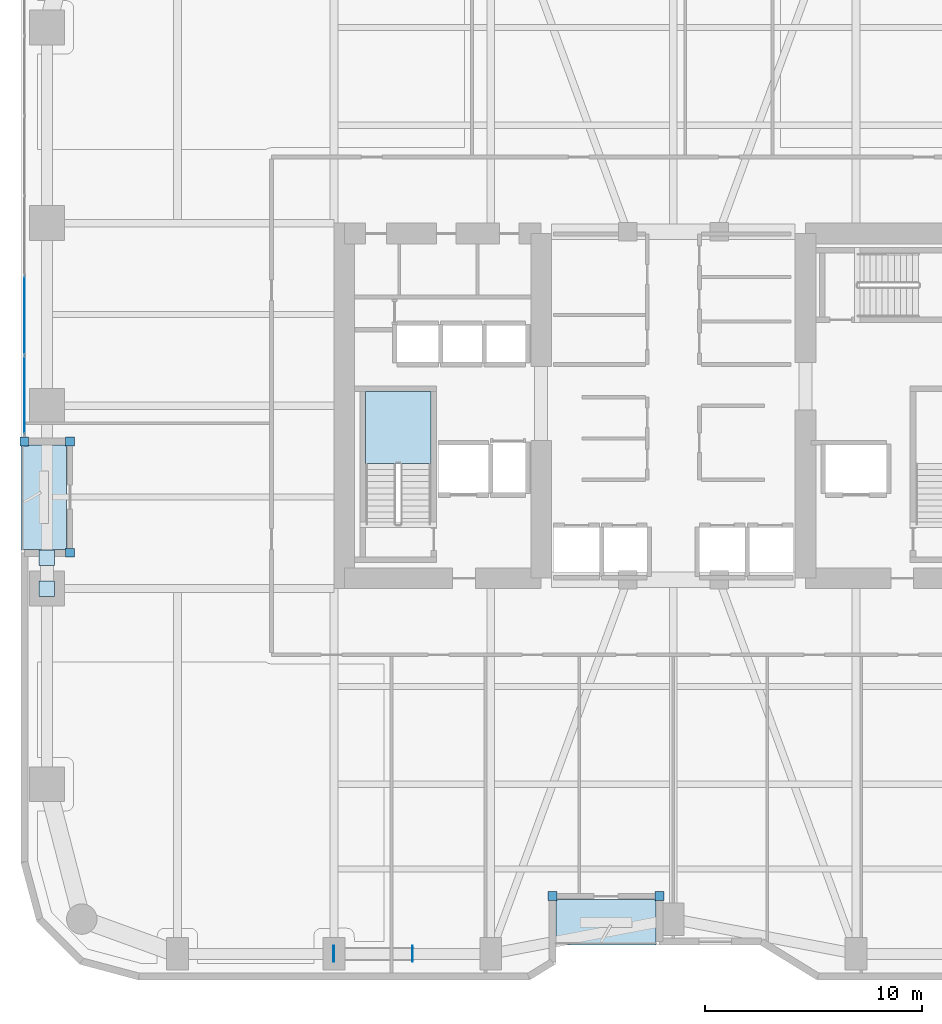
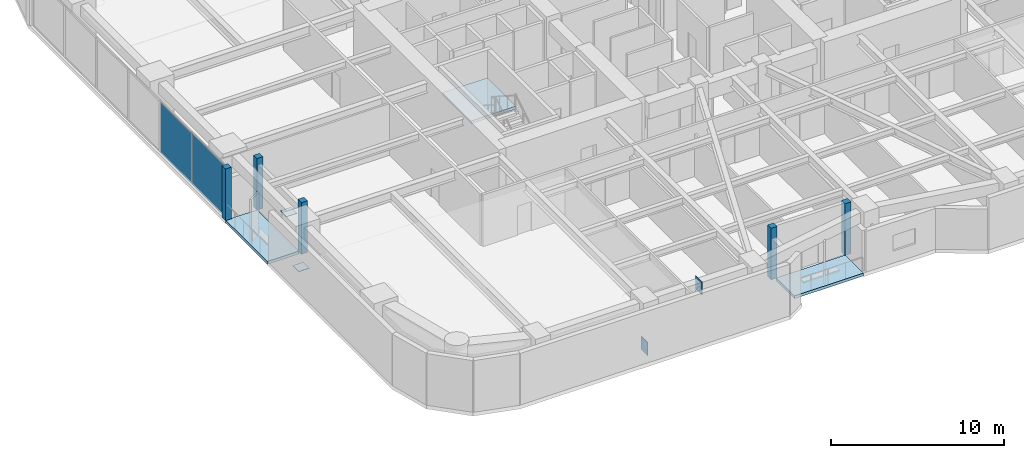
# One storey, part 19 of 28: 11 plates, 3 slabs, 2 elements without a shape of their own.
"""IFC4 building model written with IfcOpenShell, lengths in metres."""

from ifc_helpers import new_model, si_unit, direction, frame, origin, origin_2d, place, context, subcontext, project, spatial, polyline, rectangle, outline, extrude, material, layer, layer_set, type_object, element, aggregate, save


model = new_model("IFC4")

# Units and contexts
model_context = context("Model", 3, precision=1e-05, world=origin(), true_north=direction((0.0, 1.0)))
body_context = subcontext(model_context, "Body", "Model", "MODEL_VIEW")
ifc_project = project(units=[si_unit("LENGTHUNIT", "METRE"), si_unit("AREAUNIT", "SQUARE_METRE"), si_unit("VOLUMEUNIT", "CUBIC_METRE"), si_unit("PLANEANGLEUNIT", "RADIAN"), si_unit("MASSUNIT", "GRAM", prefix="KILO")], contexts=[model_context])

# Site, building, storey
site_placement = place(None, origin())
site = spatial("IfcSite", under=ifc_project, at=site_placement, CompositionType="ELEMENT")
building_placement = place(site_placement, origin())
building = spatial("IfcBuilding", under=site, at=building_placement, Name="Kiyonajd Concourse Tower", CompositionType="ELEMENT")
storey_placement = place(building_placement, frame((0.0, 0.0, 56.699951171875)))
storey = spatial("IfcBuildingStorey", under=building, at=storey_placement, Name="L15", CompositionType="ELEMENT", Elevation=56.699951171875)

# Plates
ifc_material_1 = material(Name="Steel ASTM A572 Grade 50", Category="steel")
ifc_layer_1 = layer(ifc_material_1, 0.028076171875)
ifc_layer_set_1 = layer_set([ifc_layer_1], Name="Steel ASTM A572 Grade 50")
plate_type_1 = type_object("IfcPlateType", Name="PL-CAP-450", PredefinedType="USERDEFINED", material=ifc_layer_set_1)
for number, where, z_axis, x_axis, name in (
    (1, (32.3916015625, 10.800048828125, -0.173583984375), (0.0, 0.0, 1.0), (-1.0, 0.0, 0.0), "L15 Hollow Brace End Cap Plate PBS"),
    (2, (36.008544921875, 10.800048828125, 2.83056640625), (0.0, 0.0, 1.0), (1.0, 0.0, 0.0), "L15 Hollow Brace Top Cap Plate PBS"),
):
    element("IfcPlate", number, at=place(storey_placement, frame(where, z_axis=z_axis, x_axis=x_axis)), inside=storey, type_object=plate_type_1, Name=name, ObjectType="CAP PLATE", PredefinedType="USERDEFINED", context=body_context, shape_type="SweptSolid", body=[
        extrude(rectangle(XDim=0.035888671875, YDim=0.72998046875, at=origin_2d()), origin(), (0.0, 0.0, 1.0), 0.93310546875),
    ])
for number, where, z_axis, x_axis, name in (
    (3, (19.199951171875, 27.59521484375, 0.27587890625), (0.0, 0.0, 1.0), (1.0, 0.0, 0.0), "L15 Hollow Brace End Cap Plate PBW"),
    (4, (19.199951171875, 29.004638671875, 3.2861328125), (0.0, 0.0, 1.0), (1.0, 0.0, 0.0), "L15 Hollow Brace Top Cap Plate PBW"),
):
    element("IfcPlate", number, at=place(storey_placement, frame(where, z_axis=z_axis, x_axis=x_axis)), inside=storey, type_object=plate_type_1, Name=name, ObjectType="CAP PLATE", PredefinedType="USERDEFINED", context=body_context, shape_type="SweptSolid", body=[
        extrude(rectangle(XDim=0.7099609375, YDim=0.7099609375, at=origin_2d()), origin(), (0.0, 0.0, 1.0), 0.028076171875),
    ])

# Curtain wall, plates
ifc_material_2 = material(Name="Thermally Broken Anodised Aluminium", Category="aluminium")
ifc_layer_2 = layer(ifc_material_2, 0.179931640625)
ifc_layer_set_2 = layer_set([ifc_layer_2], Name="Thermally Broken Anodised Aluminium")
curtain_wall_type = type_object("IfcCurtainWallType", Name="CW-SYS-02", PredefinedType="NOTDEFINED", material=ifc_layer_set_2)
curtain_wall_placement = place(storey_placement, origin())
curtain_wall = element("IfcCurtainWall", 5, at=curtain_wall_placement, inside=storey, type_object=curtain_wall_type, Name="L15 Unitised Curtain Wall CW2", PredefinedType="NOTDEFINED")
ifc_material_3 = material(Name="Double Low-E Insulated Glass", Category="glass")
ifc_layer_3 = layer(ifc_material_3, 0.028076171875)
ifc_layer_set_3 = layer_set([ifc_layer_3], Name="Double Low-E Insulated Glass")
plate_type_2 = type_object("IfcPlateType", Name="PL-CW-VIS28", PredefinedType="CURTAIN_PANEL", material=ifc_layer_set_3)
plate_1_placement = place(storey_placement, frame((18.159912109375, 36.5029296875, 0.06494140625), z_axis=(0.0, 0.0, 1.0), x_axis=(0.0, 1.0, 0.0)))
plate_1 = element("IfcPlate", 6, at=plate_1_placement, type_object=plate_type_2, Name="CW2 panel 1.1", PredefinedType="CURTAIN_PANEL", context=body_context, shape_type="SweptSolid", body=[
    extrude(rectangle(XDim=3.57568359375, YDim=0.028076171875, at=origin_2d()), origin(), (0.0, 0.0, 1.0), 3.510009765625),
])
plate_2_placement = place(storey_placement, frame((18.159912109375, 40.15966796875, 0.06494140625), z_axis=(0.0, 0.0, 1.0), x_axis=(0.0, 1.0, 0.0)))
plate_2 = element("IfcPlate", 7, at=plate_2_placement, type_object=plate_type_2, Name="CW2 panel 2.1", PredefinedType="CURTAIN_PANEL", context=body_context, shape_type="SweptSolid", body=[
    extrude(rectangle(XDim=3.608154296875, YDim=0.028076171875, at=origin_2d()), origin(), (0.0, 0.0, 1.0), 3.510009765625),
])
aggregate(curtain_wall, [plate_1, plate_2])

# Plates
ifc_layer_4 = layer(ifc_material_2, 0.39990234375)
ifc_layer_set_4 = layer_set([ifc_layer_4], Name="Thermally Broken Anodised Aluminium")
plate_type_3 = type_object("IfcPlateType", Name="PL-JMB-400", PredefinedType="USERDEFINED", material=ifc_layer_set_4)
for number, where, z_axis, x_axis, name in (
    (8, (20.260009765625, 29.239990234375, 0.0), (0.0, 0.0, 1.0), (1.0, 0.0, 0.0), "L15 Facade Jamb Closure Plate 01"),
    (9, (20.260009765625, 34.360107421875, 0.0), (0.0, 0.0, 1.0), (1.0, 0.0, 0.0), "L15 Facade Jamb Closure Plate 02"),
    (10, (18.159912109375, 34.360107421875, 0.0), (0.0, 0.0, 1.0), (1.0, 0.0, 0.0), "L15 Facade Jamb Closure Plate 03"),
    (11, (47.360107421875, 13.4599609375, 0.0), (0.0, 0.0, 1.0), (1.0, 0.0, 0.0), "L15 Facade Jamb Closure Plate 13"),
    (12, (42.43994140625, 13.4599609375, 0.0), (0.0, 0.0, 1.0), (1.0, 0.0, 0.0), "L15 Facade Jamb Closure Plate 14"),
):
    element("IfcPlate", number, at=place(storey_placement, frame(where, z_axis=z_axis, x_axis=x_axis)), inside=storey, type_object=plate_type_3, Name=name, ObjectType="JAMB PLATE", PredefinedType="USERDEFINED", context=body_context, shape_type="SweptSolid", body=[
        extrude(rectangle(XDim=0.39990234375, YDim=0.39990234375, at=origin_2d()), origin(), (0.0, 0.0, 1.0), 3.639892578125),
    ])

# Stair, slab
ifc_material_4 = material(Name="Concrete C40/50", Category="concrete")
stair_type = type_object("IfcStairType", Name="ST-DLG-22R", PredefinedType="HALF_TURN_STAIR", material=ifc_material_4)
stair_placement = place(storey_placement, origin())
stair = element("IfcStair", 13, at=stair_placement, inside=storey, type_object=stair_type, Name="L15 Protected Exit Stair ST1", PredefinedType="HALF_TURN_STAIR")
ifc_layer_5 = layer(ifc_material_4, 0.199951171875)
ifc_layer_set_5 = layer_set([ifc_layer_5], Name="Concrete C40/50")
slab_type_1 = type_object("IfcSlabType", Name="SL-LND-200", PredefinedType="LANDING", material=ifc_layer_set_5)
slab_1_placement = place(storey_placement, frame((0.0, 0.0, 1.75)))
slab_1 = element("IfcSlab", 14, at=slab_1_placement, type_object=slab_type_1, Name="ST1 landing 1", PredefinedType="LANDING", context=body_context, shape_type="SweptSolid", body=[
    extrude(outline(polyline([(36.85009765625, 33.35009765625), (36.85009765625, 36.64990234375), (33.85009765625, 36.64990234375), (33.85009765625, 33.35009765625), (36.85009765625, 33.35009765625)])), origin(), (0.0, 0.0, 1.0), 0.199951171875),
])
aggregate(stair, [slab_1])

# Slabs
ifc_material_5 = material(Name="Precast concrete C50/60", Category="concrete")
ifc_layer_6 = layer(ifc_material_5, 0.199951171875)
ifc_layer_set_6 = layer_set([ifc_layer_6], Name="Precast concrete C50/60")
slab_type_2 = type_object("IfcSlabType", Name="SL-LOG-200", PredefinedType="FLOOR", material=ifc_layer_set_6)
slab_2_placement = place(storey_placement, frame((0.0, 0.0, -0.199951171875)))
element("IfcSlab", 15, at=slab_2_placement, inside=storey, type_object=slab_type_2, Name="L15 Recessed Engawa Loggia Terrace Slab LOG-S", PredefinedType="FLOOR", context=body_context, shape_type="SweptSolid", body=[
    extrude(outline(polyline([(42.60009765625, 11.199951171875), (47.199951171875, 11.199951171875), (47.199951171875, 13.300048828125), (42.60009765625, 13.300048828125), (42.60009765625, 11.199951171875)])), origin(), (0.0, 0.0, 1.0), 0.199951171875),
])
slab_3_placement = place(storey_placement, frame((0.0, 0.0, -0.199951171875)))
element("IfcSlab", 16, at=slab_3_placement, inside=storey, type_object=slab_type_2, Name="L15 Recessed Engawa Loggia Terrace Slab LOG-W", PredefinedType="FLOOR", context=body_context, shape_type="SweptSolid", body=[
    extrude(outline(polyline([(18.0, 29.39990234375), (20.10009765625, 29.39990234375), (20.10009765625, 34.199951171875), (18.0, 34.199951171875), (18.0, 29.39990234375)])), origin(), (0.0, 0.0, 1.0), 0.199951171875),
])

save(model, "model.ifc")
